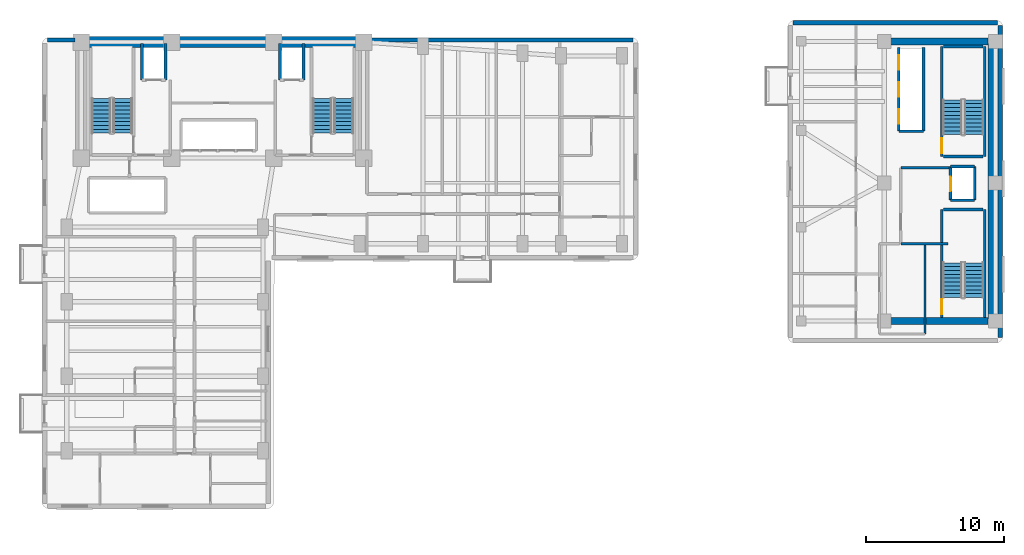
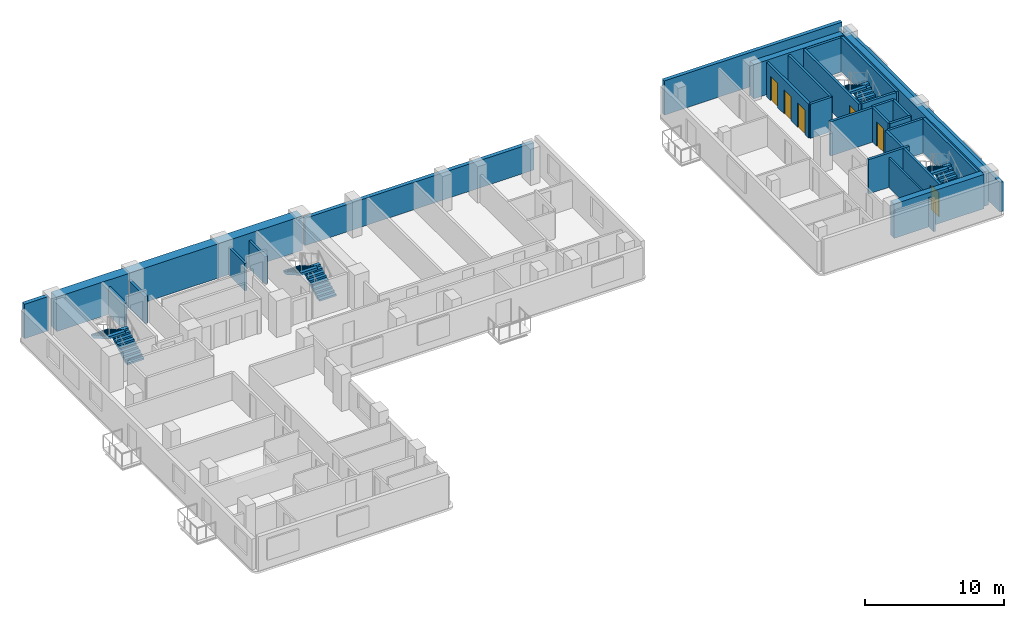
# One storey, part 6 of 9: 29 walls, 8 stair flights, 6 doors, 6 openings, 4 elements without a shape of their own.
"""IFC4 building model written with IfcOpenShell, lengths in metres."""

import ifcopenshell
import ifcopenshell.guid

model = None  # the IFC model being written
_history = None  # IfcOwnerHistory: only IFC2X3 demands one
_inside = {}  # id of a spatial element -> (the spatial element, [elements in it])
_under = {}  # id of a project, library or spatial element -> (it, [spatial elements below it])
_declared = {}  # id of a project -> (the project, [libraries it declares])
_typed = {}  # id of a type object -> (the type object, [elements of that type])
_made_of = {}  # id of a material, layer set ... -> (it, [elements and type objects made of it])


def new_model(schema):
    """Start an empty IFC model of exactly this schema.

    Asked for "IFC4X3", IfcOpenShell would pick the latest addendum, in which some entities
    have other attributes; the version numbers below select the first issue.
    IFC2X3 requires an IfcOwnerHistory on every rooted entity: one is made here for all.
    """
    global model, _history
    if schema == "IFC4X3":
        model = ifcopenshell.file(schema_version=(4, 3, 0, 0))
    else:
        model = ifcopenshell.file(schema=schema)
    _inside.clear()
    _under.clear()
    _declared.clear()
    _typed.clear()
    _made_of.clear()
    _history = None
    if model.schema == "IFC2X3":
        org = make("IfcOrganization", Name="unknown")
        user = make(
            "IfcPersonAndOrganization",
            ThePerson=make("IfcPerson", FamilyName="unknown"),
            TheOrganization=org,
        )
        app = make(
            "IfcApplication",
            ApplicationDeveloper=org,
            Version="unknown",
            ApplicationFullName="unknown",
            ApplicationIdentifier="unknown",
        )
        _history = make(
            "IfcOwnerHistory",
            OwningUser=user,
            OwningApplication=app,
            ChangeAction="ADDED",
            CreationDate=0,
        )
    return model


def make(cls, **values):
    """One entity of the class cls with the attributes given. An attribute that is None is left unset."""
    return model.create_entity(
        cls, **{name: value for name, value in values.items() if value is not None}
    )


def rooted(cls, **values):
    """An entity with a GlobalId (a new one), such as an element, a storey or a relation."""
    return make(cls, GlobalId=ifcopenshell.guid.new(), OwnerHistory=_history, **values)


def si_unit(unit_type, name, prefix=None):
    """IfcSIUnit, for example si_unit("LENGTHUNIT", "METRE", prefix="MILLI")."""
    return make("IfcSIUnit", UnitType=unit_type, Prefix=prefix, Name=name)


def assignment(units):
    """IfcUnitAssignment: the units of a project."""
    return None if units is None else make("IfcUnitAssignment", Units=units)


def point(xyz):
    """IfcCartesianPoint."""
    return None if xyz is None else make("IfcCartesianPoint", Coordinates=xyz)


def direction(xyz):
    """IfcDirection."""
    return None if xyz is None else make("IfcDirection", DirectionRatios=xyz)


def frame(location, z_axis=None, x_axis=None):
    """IfcAxis2Placement3D, a coordinate frame: its origin and axes. An axis left out is left unset."""
    return make(
        "IfcAxis2Placement3D",
        Location=point(location),
        Axis=direction(z_axis),
        RefDirection=direction(x_axis),
    )


def frame_2d(location, x_axis=None):
    """IfcAxis2Placement2D, a coordinate frame in the plane: its origin and x axis."""
    return make(
        "IfcAxis2Placement2D", Location=point(location), RefDirection=direction(x_axis)
    )


def origin():
    """The frame at (0, 0, 0) with its axes left unset."""
    return frame((0.0, 0.0, 0.0))


def place(relative_to, where):
    """IfcLocalPlacement: puts the frame where relative to a parent placement (None: the world)."""
    return make(
        "IfcLocalPlacement", PlacementRelTo=relative_to, RelativePlacement=where
    )


def context(
    kind, dimensions, precision=None, world=None, true_north=None, identifier=None
):
    """IfcGeometricRepresentationContext, for example the 3D "Model" context."""
    return make(
        "IfcGeometricRepresentationContext",
        ContextIdentifier=identifier,
        ContextType=kind,
        CoordinateSpaceDimension=dimensions,
        Precision=precision,
        WorldCoordinateSystem=world,
        TrueNorth=true_north,
    )


def subcontext(parent, identifier, kind, view, scale=None):
    """IfcGeometricRepresentationSubContext, for example "Body" below "Model"."""
    return make(
        "IfcGeometricRepresentationSubContext",
        ContextIdentifier=identifier,
        ContextType=kind,
        ParentContext=parent,
        TargetScale=scale,
        TargetView=view,
    )


def project(units=None, contexts=None):
    """IfcProject with its units and contexts."""
    return rooted(
        "IfcProject",
        Name="project",
        RepresentationContexts=contexts,
        UnitsInContext=assignment(units),
    )


def spatial(cls, under=None, at=None, **own):
    """A site, building, storey or space (cls), placed at a placement, below another one or the project."""
    s = rooted(cls, ObjectPlacement=at, **own)
    if under is not None:
        _under.setdefault(under.id(), (under, []))[1].append(s)
    return s


def polyline(points):
    """IfcPolyline through the points."""
    return make("IfcPolyline", Points=[point(p) for p in points])


def profile(cls, at=None, kind="AREA", **sizes):
    """A parametric profile (cls). Its sizes go by their IFC names, for example OverallWidth=200.0."""
    return make(cls, ProfileType=kind, Position=at, **sizes)


def rectangle(**sizes):
    """IfcRectangleProfileDef."""
    return profile("IfcRectangleProfileDef", **sizes)


def outline(outer, holes=None, kind="AREA"):
    """IfcArbitraryClosedProfileDef: a profile drawn as a closed curve; with holes, ...WithVoids."""
    if holes is None:
        return make("IfcArbitraryClosedProfileDef", ProfileType=kind, OuterCurve=outer)
    return make(
        "IfcArbitraryProfileDefWithVoids",
        ProfileType=kind,
        OuterCurve=outer,
        InnerCurves=holes,
    )


def extrude(swept, where, along, depth):
    """IfcExtrudedAreaSolid: the profile swept, set in the frame where, extruded along a direction by depth."""
    return make(
        "IfcExtrudedAreaSolid",
        SweptArea=swept,
        Position=where,
        ExtrudedDirection=direction(along),
        Depth=depth,
    )


def shape(context_of_items, identifier, shape_type, items):
    """IfcShapeRepresentation: the items that make up one representation, for example the "Body"."""
    return make(
        "IfcShapeRepresentation",
        ContextOfItems=context_of_items,
        RepresentationIdentifier=identifier,
        RepresentationType=shape_type,
        Items=items,
    )


def material(Name=None, Category=None):
    """IfcMaterial."""
    return make("IfcMaterial", Name=Name, Category=Category)


def layer(
    of_material, thickness, ventilated=None, Name=None, Category=None, Priority=None
):
    """IfcMaterialLayer: one layer of a wall or slab, of a material (None: an air gap)."""
    return make(
        "IfcMaterialLayer",
        Material=of_material,
        LayerThickness=thickness,
        IsVentilated=ventilated,
        Name=Name,
        Category=Category,
        Priority=Priority,
    )


def layer_set(layers, Name=None):
    """IfcMaterialLayerSet."""
    return make("IfcMaterialLayerSet", MaterialLayers=layers, LayerSetName=Name)


def made_of(thing, what):
    """Note that an element or type object is made of a material, layer set ...; save() writes the relation."""
    if what is not None:
        _made_of.setdefault(what.id(), (what, []))[1].append(thing)
    return thing


def type_object(cls, material=None, **own):
    """A type object (cls), such as IfcWallType, which elements share."""
    return made_of(rooted(cls, **own), material)


def element(
    cls,
    number,
    at=None,
    inside=None,
    cuts=None,
    type_object=None,
    material=None,
    context=None,
    identifier="Body",
    shape_type=None,
    held_by="IfcProductDefinitionShape",
    body=None,
    shapes=None,
    **own,
):
    """One element of the class cls, such as IfcWall. Its Tag is "e" and its number.

    at: its placement. inside: the storey or other place that contains it. cuts: it is an
    opening in that element (IfcRelVoidsElement). A single representation is given by context,
    identifier, shape_type and body (its items); several are given by shapes. held_by: the class
    of the entity that holds the representations. save() writes the other relations.
    """
    e = rooted(cls, Tag="e%d" % number, ObjectPlacement=at, **own)
    if body is not None:
        shapes = [shape(context, identifier, shape_type, body)]
    if shapes is not None:
        e.Representation = make(held_by, Representations=shapes)
    if inside is not None:
        _inside.setdefault(inside.id(), (inside, []))[1].append(e)
    if cuts is not None:
        rooted(
            "IfcRelVoidsElement", RelatingBuildingElement=cuts, RelatedOpeningElement=e
        )
    if type_object is not None:
        _typed.setdefault(type_object.id(), (type_object, []))[1].append(e)
    return made_of(e, material)


def fill(opening, filler):
    """IfcRelFillsElement: the door or window that sits in an opening."""
    return rooted(
        "IfcRelFillsElement",
        RelatingOpeningElement=opening,
        RelatedBuildingElement=filler,
    )


def aggregate(whole, parts):
    """IfcRelAggregates: a whole, such as a stair, and the parts it consists of."""
    return rooted("IfcRelAggregates", RelatingObject=whole, RelatedObjects=parts)


def save(model, path):
    """Write the relations noted so far, then the file.

    IfcRelAggregates (storeys below a building ...), IfcRelContainedInSpatialStructure (elements
    in a storey), IfcRelDefinesByType, IfcRelAssociatesMaterial and IfcRelDeclares: one each for
    every whole, place, type object, material and project.
    """
    for whole, parts in _under.values():
        aggregate(whole, parts)
    for where, things in _inside.values():
        rooted(
            "IfcRelContainedInSpatialStructure",
            RelatedElements=things,
            RelatingStructure=where,
        )
    for kind, things in _typed.values():
        rooted("IfcRelDefinesByType", RelatedObjects=things, RelatingType=kind)
    for what, things in _made_of.values():
        rooted("IfcRelAssociatesMaterial", RelatedObjects=things, RelatingMaterial=what)
    for by, libraries in _declared.values():
        rooted("IfcRelDeclares", RelatingContext=by, RelatedDefinitions=libraries)
    model.write(path)


model = new_model("IFC4")

# Units and contexts
model_context = context("Model", 3, precision=1e-05, world=origin(), true_north=direction((0.0, 1.0)))
body_context = subcontext(model_context, "Body", "Model", "MODEL_VIEW")
ifc_project = project(units=[si_unit("LENGTHUNIT", "METRE"), si_unit("AREAUNIT", "SQUARE_METRE"), si_unit("VOLUMEUNIT", "CUBIC_METRE"), si_unit("PLANEANGLEUNIT", "RADIAN"), si_unit("MASSUNIT", "GRAM", prefix="KILO")], contexts=[model_context])

# Site, building, storey
site_placement = place(None, origin())
site = spatial("IfcSite", under=ifc_project, at=site_placement, CompositionType="ELEMENT")
building_placement = place(site_placement, origin())
building = spatial("IfcBuilding", under=site, at=building_placement, Name="Kuzgunbayir Cultural Tower", CompositionType="ELEMENT")
storey_placement = place(building_placement, frame((0.0, 0.0, 96.199951171875)))
storey = spatial("IfcBuildingStorey", under=building, at=storey_placement, Name="L27", CompositionType="ELEMENT", Elevation=96.199951171875)

# Walls
ifc_material_1 = material(Name="Concrete C60/75", Category="concrete")
ifc_layer_1 = layer(ifc_material_1, 0.800048828125)
ifc_layer_set_1 = layer_set([ifc_layer_1], Name="Concrete C60/75")
wall_type_1 = type_object("IfcWallType", Name="WAL-CORE-800", PredefinedType="SHEAR", material=ifc_layer_set_1)
wall_1_placement = place(storey_placement, frame((6.449951171875, 42.199951171875, 0.0), z_axis=(0.0, 0.0, 1.0), x_axis=(1.0, 0.0, 0.0)))
element("IfcWall", 1, at=wall_1_placement, inside=storey, type_object=wall_type_1, Name="L27 T1 Core North Shear Wall", PredefinedType="SHEAR", context=body_context, shape_type="SweptSolid", body=[
    extrude(rectangle(XDim=20.449951171875, YDim=0.800048828125, at=frame_2d((10.22509765625, 0.0))), origin(), (0.0, 0.0, 1.0), 3.02001953125),
])
ifc_material_2 = material(Name="Anatolian Cream Limestone", Category="masonry")
ifc_layer_2 = layer(ifc_material_2, 0.300048828125)
ifc_layer_set_2 = layer_set([ifc_layer_2], Name="Anatolian Cream Limestone")
wall_type_2 = type_object("IfcWallType", Name="WAL-EXT-STONE-300", PredefinedType="STANDARD", material=ifc_layer_set_2)
wall_2_placement = place(storey_placement, frame((73.0, 20.800048828125, 0.0), z_axis=(0.0, 0.0, 1.0), x_axis=(0.0, 1.0, 0.0)))
element("IfcWall", 2, at=wall_2_placement, inside=storey, type_object=wall_type_2, Name="L27 Companion East Limestone Wall", PredefinedType="STANDARD", context=body_context, shape_type="SweptSolid", body=[
    extrude(rectangle(XDim=22.599853515625, YDim=0.300048828125, at=frame_2d((11.2998046875, 0.0))), origin(), (0.0, 0.0, 1.0), 2.60009765625),
])
wall_3_placement = place(storey_placement, frame((72.800048828125, 43.60009765625, 0.0), z_axis=(0.0, 0.0, 1.0), x_axis=(-1.0, 0.0, 0.0)))
element("IfcWall", 3, at=wall_3_placement, inside=storey, type_object=wall_type_2, Name="L27 Companion North Limestone Wall", PredefinedType="STANDARD", context=body_context, shape_type="SweptSolid", body=[
    extrude(rectangle(XDim=14.800048828125, YDim=0.300048828125, at=frame_2d((7.39990234375, 0.0))), origin(), (0.0, 0.0, 1.0), 3.02001953125),
])
ifc_material_3 = material(Name="Travertine Buff Ashlar", Category="masonry")
ifc_layer_3 = layer(ifc_material_3, 0.320068359375)
ifc_layer_set_3 = layer_set([ifc_layer_3], Name="Travertine Buff Ashlar")
wall_type_3 = type_object("IfcWallType", Name="WAL-EXT-STONE-320", PredefinedType="STANDARD", material=ifc_layer_set_3)
wall_4_placement = place(storey_placement, frame((46.39990234375, 42.35009765625, 0.0), z_axis=(0.0, 0.0, 1.0), x_axis=(-1.0, 0.0, 0.0)))
element("IfcWall", 4, at=wall_4_placement, inside=storey, type_object=wall_type_3, Name="L27 North Wing B Limestone Wall", PredefinedType="STANDARD", context=body_context, shape_type="SweptSolid", body=[
    extrude(rectangle(XDim=19.0498046875, YDim=0.320068359375, at=frame_2d((9.52490234375, 0.0))), origin(), (0.0, 0.0, 1.0), 2.41015625),
])
wall_5_placement = place(storey_placement, frame((6.0, 42.35009765625, 0.0), z_axis=(0.0, 0.0, 1.0), x_axis=(-1.0, 0.0, 0.0)))
element("IfcWall", 5, at=wall_5_placement, inside=storey, type_object=wall_type_3, Name="L27 Core North-West Spandrel Link", PredefinedType="STANDARD", context=body_context, shape_type="SweptSolid", body=[
    extrude(rectangle(XDim=2.0, YDim=0.320068359375, at=frame_2d((1.0, 0.0))), origin(), (0.0, 0.0, 1.0), 3.02001953125),
])
ifc_material_4 = material(Name="Acoustic Double-Stud Drywall", Category="gypsum")
ifc_layer_4 = layer(ifc_material_4, 0.14990234375)
ifc_layer_set_4 = layer_set([ifc_layer_4], Name="Acoustic Double-Stud Drywall")
wall_type_4 = type_object("IfcWallType", Name="WAL-PART-ACOUSTIC-150", PredefinedType="PARTITIONING", material=ifc_layer_set_4)
wall_6_placement = place(storey_placement, frame((67.550048828125, 21.050048828125, 0.0), z_axis=(0.0, 0.0, 1.0), x_axis=(0.0, 1.0, 0.0)))
element("IfcWall", 6, at=wall_6_placement, inside=storey, type_object=wall_type_4, Name="L27 Companion Archive East Wall", PredefinedType="PARTITIONING", context=body_context, shape_type="SweptSolid", body=[
    extrude(rectangle(XDim=6.469970703125, YDim=0.14990234375, at=frame_2d((3.23486328125, 0.0))), origin(), (0.0, 0.0, 1.0), 2.60009765625),
])
ifc_material_5 = material(Name="Aerated Concrete Blockwork", Category="masonry")
ifc_layer_5 = layer(ifc_material_5, 0.199951171875)
ifc_layer_set_5 = layer_set([ifc_layer_5], Name="Aerated Concrete Blockwork")
wall_type_5 = type_object("IfcWallType", Name="WAL-PART-FIRE-200", PredefinedType="PARTITIONING", material=ifc_layer_set_5)
wall_7_placement = place(storey_placement, frame((65.800048828125, 33.10009765625, 0.0), z_axis=(0.0, 0.0, 1.0), x_axis=(1.0, 0.0, 0.0)))
element("IfcWall", 7, at=wall_7_placement, inside=storey, type_object=wall_type_5, Name="L27 FFL-3 Lobby North Fire Wall", PredefinedType="PARTITIONING", context=body_context, shape_type="SweptSolid", body=[
    extrude(rectangle(XDim=3.599853515625, YDim=0.199951171875, at=frame_2d((1.7998046875, 0.0))), origin(), (0.0, 0.0, 1.0), 3.02001953125),
])
wall_8_placement = place(storey_placement, frame((65.800048828125, 27.60009765625, 0.0), z_axis=(0.0, 0.0, 1.0), x_axis=(1.0, 0.0, 0.0)))
element("IfcWall", 8, at=wall_8_placement, inside=storey, type_object=wall_type_5, Name="L27 FFL-3 Lobby South Fire Wall", PredefinedType="PARTITIONING", context=body_context, shape_type="SweptSolid", body=[
    extrude(rectangle(XDim=3.39990234375, YDim=0.199951171875, at=frame_2d((1.699951171875, 0.0))), origin(), (0.0, 0.0, 1.0), 3.02001953125),
])
ifc_material_6 = material(Name="Concrete C40/50", Category="concrete")
ifc_layer_6 = layer(ifc_material_6, 0.199951171875)
ifc_layer_set_6 = layer_set([ifc_layer_6], Name="Concrete C40/50")
wall_type_6 = type_object("IfcWallType", Name="WAL-SHAFT-200", PredefinedType="MOVABLE", material=ifc_layer_set_6)
for number, where, z_axis, x_axis, name in (
    (9, (10.85009765625, 39.449951171875, 0.0), (0.0, 0.0, 1.0), (0.0, 1.0, 0.0), "L27 FFL-1 Shaft West Wall"),
    (10, (12.550048828125, 39.449951171875, 0.0), (0.0, 0.0, 1.0), (0.0, 1.0, 0.0), "L27 FFL-1 Shaft East Wall"),
    (11, (20.85009765625, 39.449951171875, 0.0), (0.0, 0.0, 1.0), (0.0, 1.0, 0.0), "L27 FFL-2 Shaft West Wall"),
    (12, (22.550048828125, 39.449951171875, 0.0), (0.0, 0.0, 1.0), (0.0, 1.0, 0.0), "L27 FFL-2 Shaft East Wall"),
):
    element("IfcWall", number, at=place(storey_placement, frame(where, z_axis=z_axis, x_axis=x_axis)), inside=storey, type_object=wall_type_6, Name=name, PredefinedType="MOVABLE", context=body_context, shape_type="SweptSolid", body=[
        extrude(rectangle(XDim=2.650146484375, YDim=0.199951171875, at=frame_2d((1.3251953125, 0.0))), origin(), (0.0, 0.0, 1.0), 2.41015625),
    ])

# Wall, openings, doors
wall_9_placement = place(storey_placement, frame((65.64990234375, 35.75, 0.0), z_axis=(0.0, 0.0, 1.0), x_axis=(0.0, 1.0, 0.0)))
wall_9 = element("IfcWall", 13, at=wall_9_placement, inside=storey, type_object=wall_type_6, Name="L27 Companion Lift Front Wall", PredefinedType="MOVABLE", context=body_context, shape_type="SweptSolid", body=[
    extrude(rectangle(XDim=6.050048828125, YDim=0.199951171875, at=frame_2d((3.02490234375, 0.0))), origin(), (0.0, 0.0, 1.0), 3.02001953125),
])
opening_1_placement = place(wall_9_placement, frame((0.52001953125, 0.0, 0.0)))
opening_1 = element("IfcOpeningElement", 14, at=opening_1_placement, cuts=wall_9, Name="Opening LD", PredefinedType="OPENING", context=body_context, shape_type="SweptSolid", body=[
    extrude(rectangle(XDim=1.050048828125, YDim=2.14990234375, at=frame_2d((0.52490234375, 1.074951171875))), frame((0.0, 0.10986328125, 0.0), z_axis=(0.0, -1.0, 0.0), x_axis=(1.0, 0.0, 0.0)), (0.0, 0.0, 1.0), 0.219970703125),
])
opening_2_placement = place(wall_9_placement, frame((2.47998046875, 0.0, 0.0)))
opening_2 = element("IfcOpeningElement", 15, at=opening_2_placement, cuts=wall_9, Name="Opening LD", PredefinedType="OPENING", context=body_context, shape_type="SweptSolid", body=[
    extrude(rectangle(XDim=1.050048828125, YDim=2.14990234375, at=frame_2d((0.52490234375, 1.074951171875))), frame((0.0, 0.10986328125, 0.0), z_axis=(0.0, -1.0, 0.0), x_axis=(1.0, 0.0, 0.0)), (0.0, 0.0, 1.0), 0.219970703125),
])
opening_3_placement = place(wall_9_placement, frame((4.429931640625, 0.0, 0.0)))
opening_3 = element("IfcOpeningElement", 16, at=opening_3_placement, cuts=wall_9, Name="Opening LD", PredefinedType="OPENING", context=body_context, shape_type="SweptSolid", body=[
    extrude(rectangle(XDim=1.050048828125, YDim=2.14990234375, at=frame_2d((0.52490234375, 1.074951171875))), frame((0.0, 0.10986328125, 0.0), z_axis=(0.0, -1.0, 0.0), x_axis=(1.0, 0.0, 0.0)), (0.0, 0.0, 1.0), 0.219970703125),
])
ifc_material_7 = material(Name="Brushed Stainless Steel", Category="steel")
door_type_1 = type_object("IfcDoorType", Name="DR-LIFT-LANDING", OperationType="SLIDING_TO_LEFT", PredefinedType="DOOR", material=ifc_material_7)
door_1_placement = place(opening_1_placement, origin())
door_1 = element("IfcDoor", 17, at=door_1_placement, inside=storey, type_object=door_type_1, Name="L27 Lift PC-1 Landing Door", OperationType="SLIDING_TO_LEFT", OverallHeight=2.14990234375, OverallWidth=1.050048828125, PredefinedType="DOOR", context=body_context, shape_type="SweptSolid", body=[
    extrude(rectangle(XDim=1.050048828125, YDim=2.14990234375, at=frame_2d((0.52490234375, 1.074951171875))), frame((0.0, 0.02490234375, 0.0), z_axis=(0.0, -1.0, 0.0), x_axis=(1.0, 0.0, 0.0)), (0.0, 0.0, 1.0), 0.050048828125),
])
fill(opening_1, door_1)
door_2_placement = place(opening_2_placement, origin())
door_2 = element("IfcDoor", 18, at=door_2_placement, inside=storey, type_object=door_type_1, Name="L27 Lift PC-2 Landing Door", OperationType="SLIDING_TO_LEFT", OverallHeight=2.14990234375, OverallWidth=1.050048828125, PredefinedType="DOOR", context=body_context, shape_type="SweptSolid", body=[
    extrude(rectangle(XDim=1.050048828125, YDim=2.14990234375, at=frame_2d((0.52490234375, 1.074951171875))), frame((0.0, 0.02490234375, 0.0), z_axis=(0.0, -1.0, 0.0), x_axis=(1.0, 0.0, 0.0)), (0.0, 0.0, 1.0), 0.050048828125),
])
fill(opening_2, door_2)
door_3_placement = place(opening_3_placement, origin())
door_3 = element("IfcDoor", 19, at=door_3_placement, inside=storey, type_object=door_type_1, Name="L27 Lift PC-3 Landing Door", OperationType="SLIDING_TO_LEFT", OverallHeight=2.14990234375, OverallWidth=1.050048828125, PredefinedType="DOOR", context=body_context, shape_type="SweptSolid", body=[
    extrude(rectangle(XDim=1.050048828125, YDim=2.14990234375, at=frame_2d((0.52490234375, 1.074951171875))), frame((0.0, 0.02490234375, 0.0), z_axis=(0.0, -1.0, 0.0), x_axis=(1.0, 0.0, 0.0)), (0.0, 0.0, 1.0), 0.050048828125),
])
fill(opening_3, door_3)

# Walls
wall_10_placement = place(storey_placement, frame((67.449951171875, 35.75, 0.0), z_axis=(0.0, 0.0, 1.0), x_axis=(0.0, 1.0, 0.0)))
element("IfcWall", 20, at=wall_10_placement, inside=storey, type_object=wall_type_6, Name="L27 Companion Lift Shaft Back Wall", PredefinedType="MOVABLE", context=body_context, shape_type="SweptSolid", body=[
    extrude(rectangle(XDim=6.050048828125, YDim=0.199951171875, at=frame_2d((3.02490234375, 0.0))), origin(), (0.0, 0.0, 1.0), 3.02001953125),
])
wall_11_placement = place(storey_placement, frame((65.64990234375, 35.75, 0.0), z_axis=(0.0, 0.0, 1.0), x_axis=(1.0, 0.0, 0.0)))
element("IfcWall", 21, at=wall_11_placement, inside=storey, type_object=wall_type_6, Name="L27 Companion Lift Shaft South Wall", PredefinedType="MOVABLE", context=body_context, shape_type="SweptSolid", body=[
    extrude(rectangle(XDim=1.800048828125, YDim=0.199951171875, at=frame_2d((0.89990234375, 0.0))), origin(), (0.0, 0.0, 1.0), 3.02001953125),
])

# Wall, opening, door
wall_12_placement = place(storey_placement, frame((69.39990234375, 30.75, 0.0), z_axis=(0.0, 0.0, 1.0), x_axis=(0.0, 1.0, 0.0)))
wall_12 = element("IfcWall", 22, at=wall_12_placement, inside=storey, type_object=wall_type_6, Name="L27 FFL-3 Lift Front Wall", PredefinedType="MOVABLE", context=body_context, shape_type="SweptSolid", body=[
    extrude(rectangle(XDim=2.449951171875, YDim=0.199951171875, at=frame_2d((1.22509765625, 0.0))), origin(), (0.0, 0.0, 1.0), 3.02001953125),
])
opening_4_placement = place(wall_12_placement, frame((0.64990234375, 0.0, 0.0)))
opening_4 = element("IfcOpeningElement", 23, at=opening_4_placement, cuts=wall_12, Name="Opening LD", PredefinedType="OPENING", context=body_context, shape_type="SweptSolid", body=[
    extrude(rectangle(XDim=1.050048828125, YDim=2.14990234375, at=frame_2d((0.52490234375, 1.074951171875))), frame((0.0, 0.10986328125, 0.0), z_axis=(0.0, -1.0, 0.0), x_axis=(1.0, 0.0, 0.0)), (0.0, 0.0, 1.0), 0.219970703125),
])
door_4_placement = place(opening_4_placement, origin())
door_4 = element("IfcDoor", 24, at=door_4_placement, inside=storey, type_object=door_type_1, Name="L27 Lift FFL-3 Landing Door", OperationType="SLIDING_TO_LEFT", OverallHeight=2.14990234375, OverallWidth=1.050048828125, PredefinedType="DOOR", context=body_context, shape_type="SweptSolid", body=[
    extrude(rectangle(XDim=1.050048828125, YDim=2.14990234375, at=frame_2d((0.52490234375, 1.074951171875))), frame((0.0, 0.02490234375, 0.0), z_axis=(0.0, -1.0, 0.0), x_axis=(1.0, 0.0, 0.0)), (0.0, 0.0, 1.0), 0.050048828125),
])
fill(opening_4, door_4)

# Walls
wall_13_placement = place(storey_placement, frame((71.14990234375, 30.75, 0.0), z_axis=(0.0, 0.0, 1.0), x_axis=(0.0, 1.0, 0.0)))
element("IfcWall", 25, at=wall_13_placement, inside=storey, type_object=wall_type_6, Name="L27 FFL-3 Shaft Back Wall", PredefinedType="MOVABLE", context=body_context, shape_type="SweptSolid", body=[
    extrude(rectangle(XDim=2.449951171875, YDim=0.199951171875, at=frame_2d((1.22509765625, 0.0))), origin(), (0.0, 0.0, 1.0), 3.02001953125),
])
for number, where, z_axis, x_axis, name in (
    (26, (69.39990234375, 33.199951171875, 0.0), (0.0, 0.0, 1.0), (1.0, 0.0, 0.0), "L27 FFL-3 Shaft North Wall"),
    (27, (69.39990234375, 30.75, 0.0), (0.0, 0.0, 1.0), (1.0, 0.0, 0.0), "L27 FFL-3 Shaft South Wall"),
):
    element("IfcWall", number, at=place(storey_placement, frame(where, z_axis=z_axis, x_axis=x_axis)), inside=storey, type_object=wall_type_6, Name=name, PredefinedType="MOVABLE", context=body_context, shape_type="SweptSolid", body=[
        extrude(rectangle(XDim=1.75, YDim=0.199951171875, at=frame_2d((0.875, 0.0))), origin(), (0.0, 0.0, 1.0), 3.02001953125),
    ])

# Wall, opening, door
ifc_layer_7 = layer(ifc_material_6, 0.199951171875)
ifc_layer_set_7 = layer_set([ifc_layer_7], Name="Concrete C40/50")
wall_type_7 = type_object("IfcWallType", Name="WAL-STAIR-RC-200", PredefinedType="SHEAR", material=ifc_layer_set_7)
wall_14_placement = place(storey_placement, frame((68.760009765625, 22.260009765625, 0.0), z_axis=(0.0, 0.0, 1.0), x_axis=(0.0, 1.0, 0.0)))
wall_14 = element("IfcWall", 28, at=wall_14_placement, inside=storey, type_object=wall_type_7, Name="L27 Stair ST-3 West Structural Wall", PredefinedType="SHEAR", context=body_context, shape_type="SweptSolid", body=[
    extrude(rectangle(XDim=7.820068359375, YDim=0.199951171875, at=frame_2d((3.91015625, 0.0))), origin(), (0.0, 0.0, 1.0), 3.02001953125),
])
opening_5_placement = place(wall_14_placement, frame((0.219970703125, 0.0, 0.0)))
opening_5 = element("IfcOpeningElement", 29, at=opening_5_placement, cuts=wall_14, Name="Opening DR-STAIR-90", PredefinedType="OPENING", context=body_context, shape_type="SweptSolid", body=[
    extrude(rectangle(XDim=1.10009765625, YDim=2.14990234375, at=frame_2d((0.550048828125, 1.074951171875))), frame((0.0, 0.10986328125, 0.0), z_axis=(0.0, -1.0, 0.0), x_axis=(1.0, 0.0, 0.0)), (0.0, 0.0, 1.0), 0.219970703125),
])
ifc_material_8 = material(Name="Steel S355J2", Category="steel")
door_type_2 = type_object("IfcDoorType", Name="DR-STAIR-90", OperationType="NOTDEFINED", PredefinedType="DOOR", material=ifc_material_8)
door_5_placement = place(opening_5_placement, origin())
door_5 = element("IfcDoor", 30, at=door_5_placement, inside=storey, type_object=door_type_2, Name="L27 Stair ST-3 Fire Door", OperationType="SINGLE_SWING_LEFT", OverallHeight=2.14990234375, OverallWidth=1.10009765625, PredefinedType="DOOR", context=body_context, shape_type="SweptSolid", body=[
    extrude(rectangle(XDim=1.10009765625, YDim=2.14990234375, at=frame_2d((0.550048828125, 1.074951171875))), frame((0.0, 0.02490234375, 0.0), z_axis=(0.0, -1.0, 0.0), x_axis=(1.0, 0.0, 0.0)), (0.0, 0.0, 1.0), 0.050048828125),
])
fill(opening_5, door_5)

# Walls
wall_15_placement = place(storey_placement, frame((71.8798828125, 22.260009765625, 0.0), z_axis=(0.0, 0.0, 1.0), x_axis=(0.0, 1.0, 0.0)))
element("IfcWall", 31, at=wall_15_placement, inside=storey, type_object=wall_type_7, Name="L27 Stair ST-3 East Structural Wall", PredefinedType="SHEAR", context=body_context, shape_type="SweptSolid", body=[
    extrude(rectangle(XDim=7.820068359375, YDim=0.199951171875, at=frame_2d((3.91015625, 0.0))), origin(), (0.0, 0.0, 1.0), 3.02001953125),
])
wall_16_placement = place(storey_placement, frame((68.8798828125, 30.080078125, 0.0), z_axis=(0.0, 0.0, 1.0), x_axis=(1.0, 0.0, 0.0)))
element("IfcWall", 32, at=wall_16_placement, inside=storey, type_object=wall_type_7, Name="L27 Stair ST-3 North Structural Wall", PredefinedType="SHEAR", context=body_context, shape_type="SweptSolid", body=[
    extrude(rectangle(XDim=2.880126953125, YDim=0.199951171875, at=frame_2d((1.43994140625, 0.0))), origin(), (0.0, 0.0, 1.0), 3.02001953125),
])

# Wall, opening, door
wall_17_placement = place(storey_placement, frame((68.760009765625, 33.919921875, 0.0), z_axis=(0.0, 0.0, 1.0), x_axis=(0.0, 1.0, 0.0)))
wall_17 = element("IfcWall", 33, at=wall_17_placement, inside=storey, type_object=wall_type_7, Name="L27 Stair ST-4 West Structural Wall", PredefinedType="SHEAR", context=body_context, shape_type="SweptSolid", body=[
    extrude(rectangle(XDim=7.9599609375, YDim=0.199951171875, at=frame_2d((3.97998046875, 0.0))), origin(), (0.0, 0.0, 1.0), 3.02001953125),
])
opening_6_placement = place(wall_17_placement, frame((0.219970703125, 0.0, 0.0)))
opening_6 = element("IfcOpeningElement", 34, at=opening_6_placement, cuts=wall_17, Name="Opening DR-STAIR-90", PredefinedType="OPENING", context=body_context, shape_type="SweptSolid", body=[
    extrude(rectangle(XDim=1.10009765625, YDim=2.14990234375, at=frame_2d((0.550048828125, 1.074951171875))), frame((0.0, 0.10986328125, 0.0), z_axis=(0.0, -1.0, 0.0), x_axis=(1.0, 0.0, 0.0)), (0.0, 0.0, 1.0), 0.219970703125),
])
door_6_placement = place(opening_6_placement, origin())
door_6 = element("IfcDoor", 35, at=door_6_placement, inside=storey, type_object=door_type_2, Name="L27 Stair ST-4 Fire Door", OperationType="SINGLE_SWING_RIGHT", OverallHeight=2.14990234375, OverallWidth=1.10009765625, PredefinedType="DOOR", context=body_context, shape_type="SweptSolid", body=[
    extrude(rectangle(XDim=1.10009765625, YDim=2.14990234375, at=frame_2d((0.550048828125, 1.074951171875))), frame((0.0, 0.02490234375, 0.0), z_axis=(0.0, -1.0, 0.0), x_axis=(1.0, 0.0, 0.0)), (0.0, 0.0, 1.0), 0.050048828125),
])
fill(opening_6, door_6)

# Walls
wall_18_placement = place(storey_placement, frame((71.8798828125, 33.919921875, 0.0), z_axis=(0.0, 0.0, 1.0), x_axis=(0.0, 1.0, 0.0)))
element("IfcWall", 36, at=wall_18_placement, inside=storey, type_object=wall_type_7, Name="L27 Stair ST-4 East Structural Wall", PredefinedType="SHEAR", context=body_context, shape_type="SweptSolid", body=[
    extrude(rectangle(XDim=7.9599609375, YDim=0.199951171875, at=frame_2d((3.97998046875, 0.0))), origin(), (0.0, 0.0, 1.0), 3.02001953125),
])
for number, where, z_axis, x_axis, name in (
    (37, (68.8798828125, 41.8798828125, 0.0), (0.0, 0.0, 1.0), (1.0, 0.0, 0.0), "L27 Stair ST-4 North Structural Wall"),
    (38, (68.8798828125, 33.919921875, 0.0), (0.0, 0.0, 1.0), (1.0, 0.0, 0.0), "L27 Stair ST-4 South Structural Wall"),
):
    element("IfcWall", number, at=place(storey_placement, frame(where, z_axis=z_axis, x_axis=x_axis)), inside=storey, type_object=wall_type_7, Name=name, PredefinedType="SHEAR", context=body_context, shape_type="SweptSolid", body=[
        extrude(rectangle(XDim=2.880126953125, YDim=0.199951171875, at=frame_2d((1.43994140625, 0.0))), origin(), (0.0, 0.0, 1.0), 3.02001953125),
    ])
ifc_layer_8 = layer(ifc_material_1, 0.5)
ifc_layer_set_8 = layer_set([ifc_layer_8], Name="Concrete C60/75")
wall_type_8 = type_object("IfcWallType", Name="WAL-T2-CORE-500", PredefinedType="SHEAR", material=ifc_layer_set_8)
wall_19_placement = place(storey_placement, frame((72.35009765625, 22.0, 0.0), z_axis=(0.0, 0.0, 1.0), x_axis=(0.0, 1.0, 0.0)))
element("IfcWall", 39, at=wall_19_placement, inside=storey, type_object=wall_type_8, Name="L27 Companion Core East Shear Wall", PredefinedType="SHEAR", context=body_context, shape_type="SweptSolid", body=[
    extrude(rectangle(XDim=20.25, YDim=0.5, at=frame_2d((10.125, 0.0))), origin(), (0.0, 0.0, 1.0), 3.02001953125),
])
for number, where, z_axis, x_axis, name in (
    (40, (64.60009765625, 42.25, 0.0), (0.0, 0.0, 1.0), (1.0, 0.0, 0.0), "L27 Companion Core North Shear Wall"),
    (41, (64.60009765625, 22.0, 0.0), (0.0, 0.0, 1.0), (1.0, 0.0, 0.0), "L27 Companion Core South Shear Wall"),
):
    element("IfcWall", number, at=place(storey_placement, frame(where, z_axis=z_axis, x_axis=x_axis)), inside=storey, type_object=wall_type_8, Name=name, PredefinedType="SHEAR", context=body_context, shape_type="SweptSolid", body=[
        extrude(rectangle(XDim=7.5, YDim=0.5, at=frame_2d((3.75, 0.0))), origin(), (0.0, 0.0, 1.0), 3.02001953125),
    ])

# Stair, stair flights
stair_type = type_object("IfcStairType", Name="STR-EXIT-CORE", PredefinedType="HALF_TURN_STAIR", material=ifc_material_6)
stair_1_placement = place(storey_placement, origin())
stair_1 = element("IfcStair", 42, at=stair_1_placement, inside=storey, type_object=stair_type, Name="L27 ST-1", PredefinedType="HALF_TURN_STAIR")
stair_flight_type = type_object("IfcStairFlightType", Name="STRF-RC-140", PredefinedType="STRAIGHT", material=ifc_material_6)
stair_flight_1_placement = place(storey_placement, frame((9.4599609375, 35.60009765625, 0.0), z_axis=(0.0, 0.0, 1.0), x_axis=(0.0, 1.0, 0.0)))
stair_flight_1 = element("IfcStairFlight", 43, at=stair_flight_1_placement, type_object=stair_flight_type, Name="ST-1 flight 1", NumberOfRisers=10, NumberOfTreads=9, PredefinedType="STRAIGHT", RiserHeight=0.16, TreadLength=0.28, context=body_context, shape_type="SweptSolid", body=[
    extrude(outline(polyline([(0.0, 0.0), (0.0, 0.159912109375), (0.280029296875, 0.159912109375), (0.280029296875, 0.320068359375), (0.56005859375, 0.320068359375), (0.56005859375, 0.47998046875), (0.840087890625, 0.47998046875), (0.840087890625, 0.639892578125), (1.1201171875, 0.639892578125), (1.1201171875, 0.800048828125), (1.39990234375, 0.800048828125), (1.39990234375, 0.9599609375), (1.679931640625, 0.9599609375), (1.679931640625, 1.1201171875), (1.9599609375, 1.1201171875), (1.9599609375, 1.280029296875), (2.239990234375, 1.280029296875), (2.239990234375, 1.43994140625), (2.52001953125, 1.43994140625), (2.52001953125, 1.60009765625), (2.52001953125, 1.232666015625), (0.362548828125, 0.0), (0.0, 0.0)])), frame((0.0, 0.699951171875, 0.0), z_axis=(0.0, -1.0, 0.0), x_axis=(1.0, 0.0, 0.0)), (0.0, 0.0, 1.0), 1.39990234375),
])
stair_flight_2_placement = place(storey_placement, frame((7.89990234375, 38.1201171875, 1.60009765625), z_axis=(0.0, 0.0, 1.0), x_axis=(0.0, -1.0, 0.0)))
stair_flight_2 = element("IfcStairFlight", 44, at=stair_flight_2_placement, type_object=stair_flight_type, Name="ST-1 flight 2", NumberOfRisers=10, NumberOfTreads=9, PredefinedType="STRAIGHT", RiserHeight=0.16, TreadLength=0.28, context=body_context, shape_type="SweptSolid", body=[
    extrude(outline(polyline([(0.0, 0.0), (0.0, 0.159912109375), (0.280029296875, 0.159912109375), (0.280029296875, 0.320068359375), (0.56005859375, 0.320068359375), (0.56005859375, 0.47998046875), (0.840087890625, 0.47998046875), (0.840087890625, 0.639892578125), (1.1201171875, 0.639892578125), (1.1201171875, 0.800048828125), (1.39990234375, 0.800048828125), (1.39990234375, 0.9599609375), (1.679931640625, 0.9599609375), (1.679931640625, 1.1201171875), (1.9599609375, 1.1201171875), (1.9599609375, 1.280029296875), (2.239990234375, 1.280029296875), (2.239990234375, 1.43994140625), (2.52001953125, 1.43994140625), (2.52001953125, 1.60009765625), (2.52001953125, 1.232666015625), (0.362548828125, 0.0), (0.0, 0.0)])), frame((0.0, 0.699951171875, 0.0), z_axis=(0.0, -1.0, 0.0), x_axis=(1.0, 0.0, 0.0)), (0.0, 0.0, 1.0), 1.39990234375),
])
aggregate(stair_1, [stair_flight_1, stair_flight_2])

stair_2_placement = place(storey_placement, origin())
stair_2 = element("IfcStair", 45, at=stair_2_placement, inside=storey, type_object=stair_type, Name="L27 ST-2", PredefinedType="HALF_TURN_STAIR")
stair_flight_3_placement = place(storey_placement, frame((25.4599609375, 35.60009765625, 0.0), z_axis=(0.0, 0.0, 1.0), x_axis=(0.0, 1.0, 0.0)))
stair_flight_3 = element("IfcStairFlight", 46, at=stair_flight_3_placement, type_object=stair_flight_type, Name="ST-2 flight 1", NumberOfRisers=10, NumberOfTreads=9, PredefinedType="STRAIGHT", RiserHeight=0.16, TreadLength=0.28, context=body_context, shape_type="SweptSolid", body=[
    extrude(outline(polyline([(0.0, 0.0), (0.0, 0.159912109375), (0.280029296875, 0.159912109375), (0.280029296875, 0.320068359375), (0.56005859375, 0.320068359375), (0.56005859375, 0.47998046875), (0.840087890625, 0.47998046875), (0.840087890625, 0.639892578125), (1.1201171875, 0.639892578125), (1.1201171875, 0.800048828125), (1.39990234375, 0.800048828125), (1.39990234375, 0.9599609375), (1.679931640625, 0.9599609375), (1.679931640625, 1.1201171875), (1.9599609375, 1.1201171875), (1.9599609375, 1.280029296875), (2.239990234375, 1.280029296875), (2.239990234375, 1.43994140625), (2.52001953125, 1.43994140625), (2.52001953125, 1.60009765625), (2.52001953125, 1.232666015625), (0.362548828125, 0.0), (0.0, 0.0)])), frame((0.0, 0.699951171875, 0.0), z_axis=(0.0, -1.0, 0.0), x_axis=(1.0, 0.0, 0.0)), (0.0, 0.0, 1.0), 1.39990234375),
])
stair_flight_4_placement = place(storey_placement, frame((23.89990234375, 38.1201171875, 1.60009765625), z_axis=(0.0, 0.0, 1.0), x_axis=(0.0, -1.0, 0.0)))
stair_flight_4 = element("IfcStairFlight", 47, at=stair_flight_4_placement, type_object=stair_flight_type, Name="ST-2 flight 2", NumberOfRisers=10, NumberOfTreads=9, PredefinedType="STRAIGHT", RiserHeight=0.16, TreadLength=0.28, context=body_context, shape_type="SweptSolid", body=[
    extrude(outline(polyline([(0.0, 0.0), (0.0, 0.159912109375), (0.280029296875, 0.159912109375), (0.280029296875, 0.320068359375), (0.56005859375, 0.320068359375), (0.56005859375, 0.47998046875), (0.840087890625, 0.47998046875), (0.840087890625, 0.639892578125), (1.1201171875, 0.639892578125), (1.1201171875, 0.800048828125), (1.39990234375, 0.800048828125), (1.39990234375, 0.9599609375), (1.679931640625, 0.9599609375), (1.679931640625, 1.1201171875), (1.9599609375, 1.1201171875), (1.9599609375, 1.280029296875), (2.239990234375, 1.280029296875), (2.239990234375, 1.43994140625), (2.52001953125, 1.43994140625), (2.52001953125, 1.60009765625), (2.52001953125, 1.232666015625), (0.362548828125, 0.0), (0.0, 0.0)])), frame((0.0, 0.699951171875, 0.0), z_axis=(0.0, -1.0, 0.0), x_axis=(1.0, 0.0, 0.0)), (0.0, 0.0, 1.0), 1.39990234375),
])
aggregate(stair_2, [stair_flight_3, stair_flight_4])

stair_3_placement = place(storey_placement, origin())
stair_3 = element("IfcStair", 48, at=stair_3_placement, inside=storey, type_object=stair_type, Name="L27 ST-3", PredefinedType="HALF_TURN_STAIR")
stair_flight_5_placement = place(storey_placement, frame((71.10009765625, 23.699951171875, 0.0), z_axis=(0.0, 0.0, 1.0), x_axis=(0.0, 1.0, 0.0)))
stair_flight_5 = element("IfcStairFlight", 49, at=stair_flight_5_placement, type_object=stair_flight_type, Name="ST-3 flight 1", NumberOfRisers=10, NumberOfTreads=9, PredefinedType="STRAIGHT", RiserHeight=0.16, TreadLength=0.28, context=body_context, shape_type="SweptSolid", body=[
    extrude(outline(polyline([(0.0, 0.0), (0.0, 0.159912109375), (0.280029296875, 0.159912109375), (0.280029296875, 0.320068359375), (0.56005859375, 0.320068359375), (0.56005859375, 0.47998046875), (0.840087890625, 0.47998046875), (0.840087890625, 0.639892578125), (1.1201171875, 0.639892578125), (1.1201171875, 0.800048828125), (1.39990234375, 0.800048828125), (1.39990234375, 0.9599609375), (1.679931640625, 0.9599609375), (1.679931640625, 1.1201171875), (1.9599609375, 1.1201171875), (1.9599609375, 1.280029296875), (2.239990234375, 1.280029296875), (2.239990234375, 1.43994140625), (2.52001953125, 1.43994140625), (2.52001953125, 1.60009765625), (2.52001953125, 1.232666015625), (0.362548828125, 0.0), (0.0, 0.0)])), frame((0.0, 0.699951171875, 0.0), z_axis=(0.0, -1.0, 0.0), x_axis=(1.0, 0.0, 0.0)), (0.0, 0.0, 1.0), 1.39990234375),
])
stair_flight_6_placement = place(storey_placement, frame((69.5400390625, 26.219970703125, 1.60009765625), z_axis=(0.0, 0.0, 1.0), x_axis=(0.0, -1.0, 0.0)))
stair_flight_6 = element("IfcStairFlight", 50, at=stair_flight_6_placement, type_object=stair_flight_type, Name="ST-3 flight 2", NumberOfRisers=10, NumberOfTreads=9, PredefinedType="STRAIGHT", RiserHeight=0.16, TreadLength=0.28, context=body_context, shape_type="SweptSolid", body=[
    extrude(outline(polyline([(0.0, 0.0), (0.0, 0.159912109375), (0.280029296875, 0.159912109375), (0.280029296875, 0.320068359375), (0.56005859375, 0.320068359375), (0.56005859375, 0.47998046875), (0.840087890625, 0.47998046875), (0.840087890625, 0.639892578125), (1.1201171875, 0.639892578125), (1.1201171875, 0.800048828125), (1.39990234375, 0.800048828125), (1.39990234375, 0.9599609375), (1.679931640625, 0.9599609375), (1.679931640625, 1.1201171875), (1.9599609375, 1.1201171875), (1.9599609375, 1.280029296875), (2.239990234375, 1.280029296875), (2.239990234375, 1.43994140625), (2.52001953125, 1.43994140625), (2.52001953125, 1.60009765625), (2.52001953125, 1.232666015625), (0.362548828125, 0.0), (0.0, 0.0)])), frame((0.0, 0.699951171875, 0.0), z_axis=(0.0, -1.0, 0.0), x_axis=(1.0, 0.0, 0.0)), (0.0, 0.0, 1.0), 1.39990234375),
])
aggregate(stair_3, [stair_flight_5, stair_flight_6])

stair_4_placement = place(storey_placement, origin())
stair_4 = element("IfcStair", 51, at=stair_4_placement, inside=storey, type_object=stair_type, Name="L27 ST-4", PredefinedType="HALF_TURN_STAIR")
stair_flight_7_placement = place(storey_placement, frame((71.10009765625, 35.5, 0.0), z_axis=(0.0, 0.0, 1.0), x_axis=(0.0, 1.0, 0.0)))
stair_flight_7 = element("IfcStairFlight", 52, at=stair_flight_7_placement, type_object=stair_flight_type, Name="ST-4 flight 1", NumberOfRisers=10, NumberOfTreads=9, PredefinedType="STRAIGHT", RiserHeight=0.16, TreadLength=0.28, context=body_context, shape_type="SweptSolid", body=[
    extrude(outline(polyline([(0.0, 0.0), (0.0, 0.159912109375), (0.280029296875, 0.159912109375), (0.280029296875, 0.320068359375), (0.56005859375, 0.320068359375), (0.56005859375, 0.47998046875), (0.840087890625, 0.47998046875), (0.840087890625, 0.639892578125), (1.1201171875, 0.639892578125), (1.1201171875, 0.800048828125), (1.39990234375, 0.800048828125), (1.39990234375, 0.9599609375), (1.679931640625, 0.9599609375), (1.679931640625, 1.1201171875), (1.9599609375, 1.1201171875), (1.9599609375, 1.280029296875), (2.239990234375, 1.280029296875), (2.239990234375, 1.43994140625), (2.52001953125, 1.43994140625), (2.52001953125, 1.60009765625), (2.52001953125, 1.232666015625), (0.362548828125, 0.0), (0.0, 0.0)])), frame((0.0, 0.699951171875, 0.0), z_axis=(0.0, -1.0, 0.0), x_axis=(1.0, 0.0, 0.0)), (0.0, 0.0, 1.0), 1.39990234375),
])
stair_flight_8_placement = place(storey_placement, frame((69.5400390625, 38.02001953125, 1.60009765625), z_axis=(0.0, 0.0, 1.0), x_axis=(0.0, -1.0, 0.0)))
stair_flight_8 = element("IfcStairFlight", 53, at=stair_flight_8_placement, type_object=stair_flight_type, Name="ST-4 flight 2", NumberOfRisers=10, NumberOfTreads=9, PredefinedType="STRAIGHT", RiserHeight=0.16, TreadLength=0.28, context=body_context, shape_type="SweptSolid", body=[
    extrude(outline(polyline([(0.0, 0.0), (0.0, 0.159912109375), (0.280029296875, 0.159912109375), (0.280029296875, 0.320068359375), (0.56005859375, 0.320068359375), (0.56005859375, 0.47998046875), (0.840087890625, 0.47998046875), (0.840087890625, 0.639892578125), (1.1201171875, 0.639892578125), (1.1201171875, 0.800048828125), (1.39990234375, 0.800048828125), (1.39990234375, 0.9599609375), (1.679931640625, 0.9599609375), (1.679931640625, 1.1201171875), (1.9599609375, 1.1201171875), (1.9599609375, 1.280029296875), (2.239990234375, 1.280029296875), (2.239990234375, 1.43994140625), (2.52001953125, 1.43994140625), (2.52001953125, 1.60009765625), (2.52001953125, 1.232666015625), (0.362548828125, 0.0), (0.0, 0.0)])), frame((0.0, 0.699951171875, 0.0), z_axis=(0.0, -1.0, 0.0), x_axis=(1.0, 0.0, 0.0)), (0.0, 0.0, 1.0), 1.39990234375),
])
aggregate(stair_4, [stair_flight_7, stair_flight_8])

save(model, "model.ifc")
